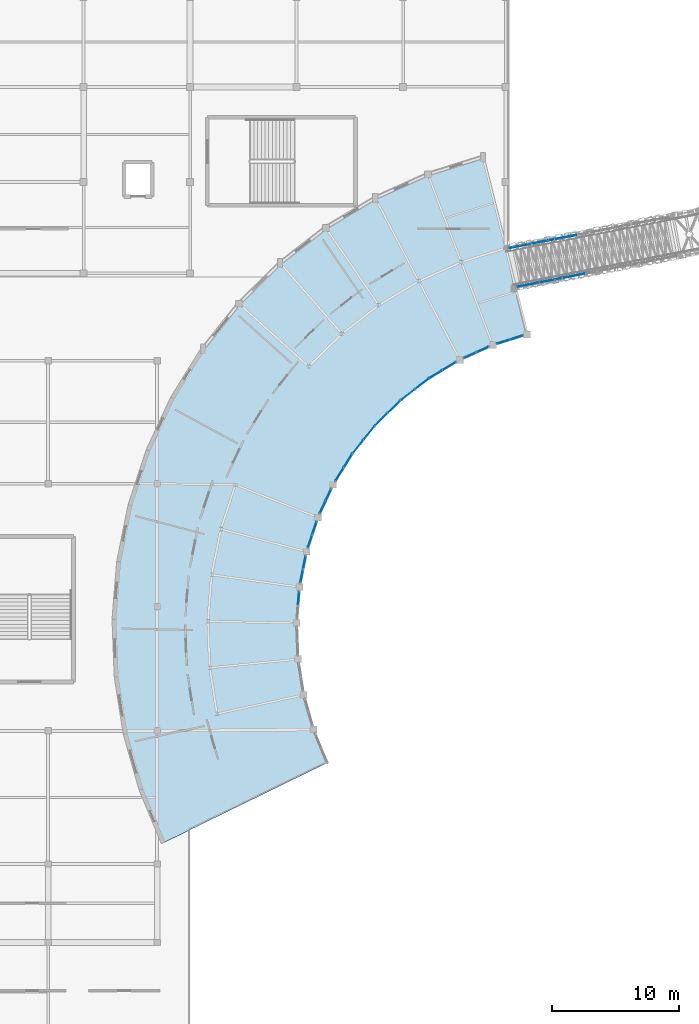
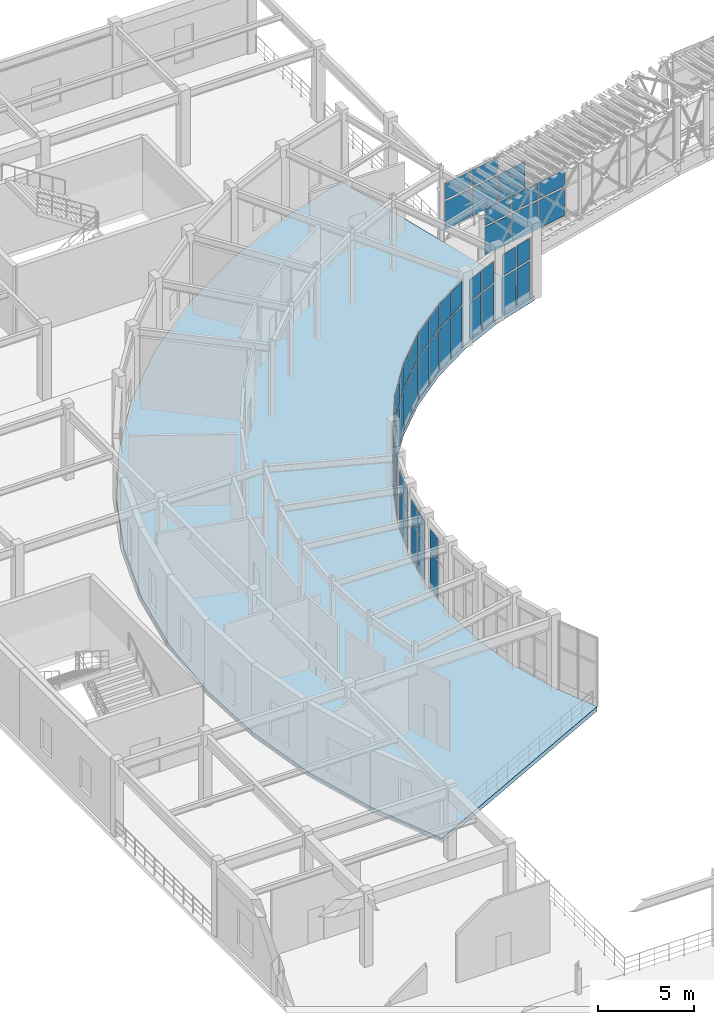
# One storey, part 86 of 144: 53 plates, 1 slab, 13 elements without a shape of their own.
"""IFC4 building model written with IfcOpenShell, lengths in metres."""

from ifc_helpers import new_model, si_unit, direction, frame, origin, origin_2d, place, context, subcontext, project, spatial, polyline, rectangle, outline, extrude, material, layer, layer_set, type_object, element, aggregate, save


model = new_model("IFC4")

# Units and contexts
model_context = context("Model", 3, precision=1e-05, world=origin(), true_north=direction((0.0, 1.0)))
body_context = subcontext(model_context, "Body", "Model", "MODEL_VIEW")
ifc_project = project(units=[si_unit("LENGTHUNIT", "METRE"), si_unit("AREAUNIT", "SQUARE_METRE"), si_unit("VOLUMEUNIT", "CUBIC_METRE"), si_unit("PLANEANGLEUNIT", "RADIAN"), si_unit("MASSUNIT", "GRAM", prefix="KILO")], contexts=[model_context])

# Site, building, storey
site_placement = place(None, origin())
site = spatial("IfcSite", under=ifc_project, at=site_placement, CompositionType="ELEMENT")
building_placement = place(site_placement, origin())
building = spatial("IfcBuilding", under=site, at=building_placement, Name="Cinderbank Siding Concert Hall", CompositionType="ELEMENT")
storey_placement = place(building_placement, frame((0.0, 0.0, 5.39990234375)))
storey = spatial("IfcBuildingStorey", under=building, at=storey_placement, Name="L02", CompositionType="ELEMENT", Elevation=5.39990234375)

# Curtain wall, plates
ifc_material_1 = material(Name="Anodised aluminium alloy 6063-T6", Category="aluminium")
curtain_wall_type_1 = type_object("IfcCurtainWallType", Name="CW-13 Unitised Acoustic Curtain Wall 4200x4400", PredefinedType="NOTDEFINED", material=ifc_material_1)
curtain_wall_1_placement = place(storey_placement, origin())
curtain_wall_1 = element("IfcCurtainWall", 1, at=curtain_wall_1_placement, inside=storey, type_object=curtain_wall_type_1, Name="L02 Curtain Wall CW-13 #112", PredefinedType="NOTDEFINED")
ifc_material_2 = material(Name="Double-glazed laminated acoustic glass", Category="glass")
ifc_layer_1 = layer(ifc_material_2, 0.035888671875)
ifc_layer_set_1 = layer_set([ifc_layer_1], Name="Double-glazed laminated acoustic glass")
plate_type_1 = type_object("IfcPlateType", Name="CP-01 Glazed Curtain Panel 1800x2200", PredefinedType="CURTAIN_PANEL", material=ifc_layer_set_1)
plate_1_placement = place(storey_placement, frame((39.684814453125, 85.558349609375, 0.1201171875), z_axis=(0.0, 0.0, 1.0), x_axis=(-0.712024905281, -0.702154209743, 0.0)))
plate_1 = element("IfcPlate", 2, at=plate_1_placement, type_object=plate_type_1, Name="CW-L02-112 Glazed Panel 0-0", PredefinedType="CURTAIN_PANEL", context=body_context, shape_type="SweptSolid", body=[
    extrude(rectangle(XDim=1.323486328125, YDim=0.035888671875, at=origin_2d()), origin(), (0.0, 0.0, 1.0), 2.548095703125),
])
plate_2_placement = place(storey_placement, frame((39.684814453125, 85.558349609375, 2.7880859375), z_axis=(0.0, 0.0, 1.0), x_axis=(-0.712024905281, -0.702154209743, 0.0)))
plate_2 = element("IfcPlate", 3, at=plate_2_placement, type_object=plate_type_1, Name="CW-L02-112 Glazed Panel 0-1", PredefinedType="CURTAIN_PANEL", context=body_context, shape_type="SweptSolid", body=[
    extrude(rectangle(XDim=1.323486328125, YDim=0.035888671875, at=origin_2d()), origin(), (0.0, 0.0, 1.0), 1.491943359375),
])
plate_3_placement = place(storey_placement, frame((38.67138671875, 84.558837890625, 0.1201171875), z_axis=(0.0, 0.0, 1.0), x_axis=(-0.712024905281, -0.702154209743, 0.0)))
plate_3 = element("IfcPlate", 4, at=plate_3_placement, type_object=plate_type_1, Name="CW-L02-112 Glazed Panel 1-0", PredefinedType="CURTAIN_PANEL", context=body_context, shape_type="SweptSolid", body=[
    extrude(rectangle(XDim=1.323486328125, YDim=0.035888671875, at=origin_2d()), origin(), (0.0, 0.0, 1.0), 2.548095703125),
])
plate_4_placement = place(storey_placement, frame((38.67138671875, 84.558837890625, 2.7880859375), z_axis=(0.0, 0.0, 1.0), x_axis=(-0.712024905281, -0.702154209743, 0.0)))
plate_4 = element("IfcPlate", 5, at=plate_4_placement, type_object=plate_type_1, Name="CW-L02-112 Glazed Panel 1-1", PredefinedType="CURTAIN_PANEL", context=body_context, shape_type="SweptSolid", body=[
    extrude(rectangle(XDim=1.323486328125, YDim=0.035888671875, at=origin_2d()), origin(), (0.0, 0.0, 1.0), 1.491943359375),
])
aggregate(curtain_wall_1, [plate_1, plate_2, plate_3, plate_4])

curtain_wall_type_2 = type_object("IfcCurtainWallType", Name="CW-14 Unitised Acoustic Curtain Wall 4200x3800", PredefinedType="NOTDEFINED", material=ifc_material_1)
curtain_wall_2_placement = place(storey_placement, origin())
curtain_wall_2 = element("IfcCurtainWall", 6, at=curtain_wall_2_placement, inside=storey, type_object=curtain_wall_type_2, Name="L02 Curtain Wall CW-14 #113", PredefinedType="NOTDEFINED")
ifc_layer_2 = layer(ifc_material_2, 0.035888671875)
ifc_layer_set_2 = layer_set([ifc_layer_2], Name="Double-glazed laminated acoustic glass")
plate_type_2 = type_object("IfcPlateType", Name="CP-02 Glazed Curtain Panel 1800x1900", PredefinedType="CURTAIN_PANEL", material=ifc_layer_set_2)
plate_5_placement = place(storey_placement, frame((37.720458984375, 83.5029296875, 0.1201171875), z_axis=(0.0, 0.0, 1.0), x_axis=(-0.62388932091, -0.781512709592, 0.0)))
plate_5 = element("IfcPlate", 7, at=plate_5_placement, type_object=plate_type_2, Name="CW-L02-113 Glazed Panel 0-0", PredefinedType="CURTAIN_PANEL", context=body_context, shape_type="SweptSolid", body=[
    extrude(rectangle(XDim=1.3232421875, YDim=0.035888671875, at=origin_2d()), origin(), (0.0, 0.0, 1.0), 2.548095703125),
])
plate_6_placement = place(storey_placement, frame((37.720458984375, 83.5029296875, 2.7880859375), z_axis=(0.0, 0.0, 1.0), x_axis=(-0.62388932091, -0.781512709592, 0.0)))
plate_6 = element("IfcPlate", 8, at=plate_6_placement, type_object=plate_type_2, Name="CW-L02-113 Glazed Panel 0-1", PredefinedType="CURTAIN_PANEL", context=body_context, shape_type="SweptSolid", body=[
    extrude(rectangle(XDim=1.3232421875, YDim=0.035888671875, at=origin_2d()), origin(), (0.0, 0.0, 1.0), 1.491943359375),
])
plate_7_placement = place(storey_placement, frame((36.83251953125, 82.390625, 0.1201171875), z_axis=(0.0, 0.0, 1.0), x_axis=(-0.62388932091, -0.781512709592, 0.0)))
plate_7 = element("IfcPlate", 9, at=plate_7_placement, type_object=plate_type_2, Name="CW-L02-113 Glazed Panel 1-0", PredefinedType="CURTAIN_PANEL", context=body_context, shape_type="SweptSolid", body=[
    extrude(rectangle(XDim=1.3232421875, YDim=0.035888671875, at=origin_2d()), origin(), (0.0, 0.0, 1.0), 2.548095703125),
])
plate_8_placement = place(storey_placement, frame((36.83251953125, 82.390625, 2.7880859375), z_axis=(0.0, 0.0, 1.0), x_axis=(-0.62388932091, -0.781512709592, 0.0)))
plate_8 = element("IfcPlate", 10, at=plate_8_placement, type_object=plate_type_2, Name="CW-L02-113 Glazed Panel 1-1", PredefinedType="CURTAIN_PANEL", context=body_context, shape_type="SweptSolid", body=[
    extrude(rectangle(XDim=1.3232421875, YDim=0.035888671875, at=origin_2d()), origin(), (0.0, 0.0, 1.0), 1.491943359375),
])
aggregate(curtain_wall_2, [plate_5, plate_6, plate_7, plate_8])

curtain_wall_type_3 = type_object("IfcCurtainWallType", Name="CW-15 Unitised Acoustic Curtain Wall 12800x3200", PredefinedType="NOTDEFINED", material=ifc_material_1)
curtain_wall_3_placement = place(storey_placement, origin())
curtain_wall_3 = element("IfcCurtainWall", 11, at=curtain_wall_3_placement, inside=storey, type_object=curtain_wall_type_3, Name="L02 Curtain Wall CW-15 #153", PredefinedType="NOTDEFINED")
plate_9_placement = place(storey_placement, frame((49.604736328125, 98.24560546875, 0.60009765625), z_axis=(0.0, 0.0, 1.0), x_axis=(0.981626888786, 0.190810511271, 0.0)))
plate_9 = element("IfcPlate", 12, at=plate_9_placement, type_object=plate_type_2, Name="CW-L02-153 Glazed Panel 0-0", PredefinedType="CURTAIN_PANEL", context=body_context, shape_type="SweptSolid", body=[
    extrude(rectangle(XDim=1.760009765625, YDim=0.035888671875, at=origin_2d()), origin(), (0.0, 0.0, 1.0), 1.77294921875),
])
plate_10_placement = place(storey_placement, frame((49.604736328125, 98.24560546875, 2.4931640625), z_axis=(0.0, 0.0, 1.0), x_axis=(0.981626888786, 0.190810511271, 0.0)))
plate_10 = element("IfcPlate", 13, at=plate_10_placement, type_object=plate_type_2, Name="CW-L02-153 Glazed Panel 0-1", PredefinedType="CURTAIN_PANEL", context=body_context, shape_type="SweptSolid", body=[
    extrude(rectangle(XDim=1.760009765625, YDim=0.035888671875, at=origin_2d()), origin(), (0.0, 0.0, 1.0), 1.01708984375),
])
plate_11_placement = place(storey_placement, frame((51.430419921875, 98.6005859375, 0.60009765625), z_axis=(0.0, 0.0, 1.0), x_axis=(0.981626888786, 0.190810511271, 0.0)))
plate_11 = element("IfcPlate", 14, at=plate_11_placement, type_object=plate_type_2, Name="CW-L02-153 Glazed Panel 1-0", PredefinedType="CURTAIN_PANEL", context=body_context, shape_type="SweptSolid", body=[
    extrude(rectangle(XDim=1.760009765625, YDim=0.035888671875, at=origin_2d()), origin(), (0.0, 0.0, 1.0), 1.77294921875),
])
plate_12_placement = place(storey_placement, frame((51.430419921875, 98.6005859375, 2.4931640625), z_axis=(0.0, 0.0, 1.0), x_axis=(0.981626888786, 0.190810511271, 0.0)))
plate_12 = element("IfcPlate", 15, at=plate_12_placement, type_object=plate_type_2, Name="CW-L02-153 Glazed Panel 1-1", PredefinedType="CURTAIN_PANEL", context=body_context, shape_type="SweptSolid", body=[
    extrude(rectangle(XDim=1.760009765625, YDim=0.035888671875, at=origin_2d()), origin(), (0.0, 0.0, 1.0), 1.01708984375),
])
plate_13_placement = place(storey_placement, frame((53.25634765625, 98.955322265625, 0.60009765625), z_axis=(0.0, 0.0, 1.0), x_axis=(0.981626888786, 0.190810511271, 0.0)))
plate_13 = element("IfcPlate", 16, at=plate_13_placement, type_object=plate_type_2, Name="CW-L02-153 Glazed Panel 2-0", PredefinedType="CURTAIN_PANEL", context=body_context, shape_type="SweptSolid", body=[
    extrude(rectangle(XDim=1.760009765625, YDim=0.035888671875, at=origin_2d()), origin(), (0.0, 0.0, 1.0), 1.77294921875),
])
aggregate(curtain_wall_3, [plate_9, plate_10, plate_11, plate_12, plate_13])

curtain_wall_4_placement = place(storey_placement, origin())
curtain_wall_4 = element("IfcCurtainWall", 17, at=curtain_wall_4_placement, inside=storey, type_object=curtain_wall_type_1, Name="L02 Curtain Wall CW-13 #114", PredefinedType="NOTDEFINED")
ifc_layer_3 = layer(ifc_material_2, 0.035888671875)
ifc_layer_set_3 = layer_set([ifc_layer_3], Name="Double-glazed laminated acoustic glass")
plate_type_3 = type_object("IfcPlateType", Name="CP-03 Glazed Curtain Panel 1600x2100", PredefinedType="CURTAIN_PANEL", material=ifc_layer_set_3)
plate_14_placement = place(storey_placement, frame((36.058349609375, 81.3017578125, 0.1201171875), z_axis=(0.0, 0.0, 1.0), x_axis=(-0.526957938243, -0.849891364424, 0.0)))
plate_14 = element("IfcPlate", 18, at=plate_14_placement, type_object=plate_type_3, Name="CW-L02-114 Glazed Panel 0-0", PredefinedType="CURTAIN_PANEL", context=body_context, shape_type="SweptSolid", body=[
    extrude(rectangle(XDim=1.1533203125, YDim=0.035888671875, at=origin_2d()), origin(), (0.0, 0.0, 1.0), 2.548095703125),
])
plate_15_placement = place(storey_placement, frame((36.058349609375, 81.3017578125, 2.7880859375), z_axis=(0.0, 0.0, 1.0), x_axis=(-0.526957938243, -0.849891364424, 0.0)))
plate_15 = element("IfcPlate", 19, at=plate_15_placement, type_object=plate_type_3, Name="CW-L02-114 Glazed Panel 0-1", PredefinedType="CURTAIN_PANEL", context=body_context, shape_type="SweptSolid", body=[
    extrude(rectangle(XDim=1.1533203125, YDim=0.035888671875, at=origin_2d()), origin(), (0.0, 0.0, 1.0), 1.491943359375),
])
plate_16_placement = place(storey_placement, frame((35.397705078125, 80.236572265625, 0.1201171875), z_axis=(0.0, 0.0, 1.0), x_axis=(-0.526957938243, -0.849891364424, 0.0)))
plate_16 = element("IfcPlate", 20, at=plate_16_placement, type_object=plate_type_3, Name="CW-L02-114 Glazed Panel 1-0", PredefinedType="CURTAIN_PANEL", context=body_context, shape_type="SweptSolid", body=[
    extrude(rectangle(XDim=1.1533203125, YDim=0.035888671875, at=origin_2d()), origin(), (0.0, 0.0, 1.0), 2.548095703125),
])
plate_17_placement = place(storey_placement, frame((35.397705078125, 80.236572265625, 2.7880859375), z_axis=(0.0, 0.0, 1.0), x_axis=(-0.526957938243, -0.849891364424, 0.0)))
plate_17 = element("IfcPlate", 21, at=plate_17_placement, type_object=plate_type_3, Name="CW-L02-114 Glazed Panel 1-1", PredefinedType="CURTAIN_PANEL", context=body_context, shape_type="SweptSolid", body=[
    extrude(rectangle(XDim=1.1533203125, YDim=0.035888671875, at=origin_2d()), origin(), (0.0, 0.0, 1.0), 1.491943359375),
])
aggregate(curtain_wall_4, [plate_14, plate_15, plate_16, plate_17])

curtain_wall_5_placement = place(storey_placement, origin())
curtain_wall_5 = element("IfcCurtainWall", 22, at=curtain_wall_5_placement, inside=storey, type_object=curtain_wall_type_3, Name="L02 Curtain Wall CW-15 #154", PredefinedType="NOTDEFINED")
plate_18_placement = place(storey_placement, frame((50.23095703125, 95.18896484375, 0.60009765625), z_axis=(0.0, 0.0, 1.0), x_axis=(0.981626888786, 0.190810511271, 0.0)))
plate_18 = element("IfcPlate", 23, at=plate_18_placement, type_object=plate_type_3, Name="CW-L02-154 Glazed Panel 0-0", PredefinedType="CURTAIN_PANEL", context=body_context, shape_type="SweptSolid", body=[
    extrude(rectangle(XDim=1.755126953125, YDim=0.035888671875, at=origin_2d()), origin(), (0.0, 0.0, 1.0), 1.77294921875),
])
plate_19_placement = place(storey_placement, frame((50.23095703125, 95.18896484375, 2.4931640625), z_axis=(0.0, 0.0, 1.0), x_axis=(0.981626888786, 0.190810511271, 0.0)))
plate_19 = element("IfcPlate", 24, at=plate_19_placement, type_object=plate_type_3, Name="CW-L02-154 Glazed Panel 0-1", PredefinedType="CURTAIN_PANEL", context=body_context, shape_type="SweptSolid", body=[
    extrude(rectangle(XDim=1.755126953125, YDim=0.035888671875, at=origin_2d()), origin(), (0.0, 0.0, 1.0), 1.01708984375),
])
plate_20_placement = place(storey_placement, frame((52.052001953125, 95.54296875, 0.60009765625), z_axis=(0.0, 0.0, 1.0), x_axis=(0.981626888786, 0.190810511271, 0.0)))
plate_20 = element("IfcPlate", 25, at=plate_20_placement, type_object=plate_type_3, Name="CW-L02-154 Glazed Panel 1-0", PredefinedType="CURTAIN_PANEL", context=body_context, shape_type="SweptSolid", body=[
    extrude(rectangle(XDim=1.755126953125, YDim=0.035888671875, at=origin_2d()), origin(), (0.0, 0.0, 1.0), 1.77294921875),
])
plate_21_placement = place(storey_placement, frame((52.052001953125, 95.54296875, 2.4931640625), z_axis=(0.0, 0.0, 1.0), x_axis=(0.981626888786, 0.190810511271, 0.0)))
plate_21 = element("IfcPlate", 26, at=plate_21_placement, type_object=plate_type_3, Name="CW-L02-154 Glazed Panel 1-1", PredefinedType="CURTAIN_PANEL", context=body_context, shape_type="SweptSolid", body=[
    extrude(rectangle(XDim=1.755126953125, YDim=0.035888671875, at=origin_2d()), origin(), (0.0, 0.0, 1.0), 1.01708984375),
])
plate_22_placement = place(storey_placement, frame((53.873046875, 95.89697265625, 0.60009765625), z_axis=(0.0, 0.0, 1.0), x_axis=(0.981626888786, 0.190810511271, 0.0)))
plate_22 = element("IfcPlate", 27, at=plate_22_placement, type_object=plate_type_3, Name="CW-L02-154 Glazed Panel 2-0", PredefinedType="CURTAIN_PANEL", context=body_context, shape_type="SweptSolid", body=[
    extrude(rectangle(XDim=1.755126953125, YDim=0.035888671875, at=origin_2d()), origin(), (0.0, 0.0, 1.0), 1.77294921875),
])
plate_23_placement = place(storey_placement, frame((53.873046875, 95.89697265625, 2.4931640625), z_axis=(0.0, 0.0, 1.0), x_axis=(0.981626888786, 0.190810511271, 0.0)))
plate_23 = element("IfcPlate", 28, at=plate_23_placement, type_object=plate_type_3, Name="CW-L02-154 Glazed Panel 2-1", PredefinedType="CURTAIN_PANEL", context=body_context, shape_type="SweptSolid", body=[
    extrude(rectangle(XDim=1.755126953125, YDim=0.035888671875, at=origin_2d()), origin(), (0.0, 0.0, 1.0), 1.01708984375),
])
aggregate(curtain_wall_5, [plate_18, plate_19, plate_20, plate_21, plate_22, plate_23])

curtain_wall_6_placement = place(storey_placement, origin())
curtain_wall_6 = element("IfcCurtainWall", 29, at=curtain_wall_6_placement, inside=storey, type_object=curtain_wall_type_2, Name="L02 Curtain Wall CW-14 #115", PredefinedType="NOTDEFINED")
ifc_layer_4 = layer(ifc_material_2, 0.031982421875)
ifc_layer_set_4 = layer_set([ifc_layer_4], Name="Double-glazed laminated acoustic glass")
plate_type_4 = type_object("IfcPlateType", Name="CP-04 Glazed Curtain Panel 1400x2000", PredefinedType="CURTAIN_PANEL", material=ifc_layer_set_4)
plate_24_placement = place(storey_placement, frame((34.515869140625, 78.615966796875, 0.1201171875), z_axis=(0.0, 0.0, 1.0), x_axis=(-0.422596979175, -0.906317710956, 0.0)))
plate_24 = element("IfcPlate", 30, at=plate_24_placement, type_object=plate_type_4, Name="CW-L02-115 Glazed Panel 0-0", PredefinedType="CURTAIN_PANEL", context=body_context, shape_type="SweptSolid", body=[
    extrude(rectangle(XDim=0.9833984375, YDim=0.035888671875, at=origin_2d()), origin(), (0.0, 0.0, 1.0), 2.2919921875),
])
plate_25_placement = place(storey_placement, frame((34.515869140625, 78.615966796875, 2.5322265625), z_axis=(0.0, 0.0, 1.0), x_axis=(-0.422596979175, -0.906317710956, 0.0)))
plate_25 = element("IfcPlate", 31, at=plate_25_placement, type_object=plate_type_4, Name="CW-L02-115 Glazed Panel 0-1", PredefinedType="CURTAIN_PANEL", context=body_context, shape_type="SweptSolid", body=[
    extrude(rectangle(XDim=0.9833984375, YDim=0.035888671875, at=origin_2d()), origin(), (0.0, 0.0, 1.0), 1.335205078125),
])
plate_26_placement = place(storey_placement, frame((34.05810546875, 77.634033203125, 0.1201171875), z_axis=(0.0, 0.0, 1.0), x_axis=(-0.422596979175, -0.906317710956, 0.0)))
plate_26 = element("IfcPlate", 32, at=plate_26_placement, type_object=plate_type_4, Name="CW-L02-115 Glazed Panel 1-0", PredefinedType="CURTAIN_PANEL", context=body_context, shape_type="SweptSolid", body=[
    extrude(rectangle(XDim=0.9833984375, YDim=0.035888671875, at=origin_2d()), origin(), (0.0, 0.0, 1.0), 2.2919921875),
])
plate_27_placement = place(storey_placement, frame((34.05810546875, 77.634033203125, 2.5322265625), z_axis=(0.0, 0.0, 1.0), x_axis=(-0.422596979175, -0.906317710956, 0.0)))
plate_27 = element("IfcPlate", 33, at=plate_27_placement, type_object=plate_type_4, Name="CW-L02-115 Glazed Panel 1-1", PredefinedType="CURTAIN_PANEL", context=body_context, shape_type="SweptSolid", body=[
    extrude(rectangle(XDim=0.9833984375, YDim=0.035888671875, at=origin_2d()), origin(), (0.0, 0.0, 1.0), 1.335205078125),
])
aggregate(curtain_wall_6, [plate_24, plate_25, plate_26, plate_27])

curtain_wall_7_placement = place(storey_placement, origin())
curtain_wall_7 = element("IfcCurtainWall", 34, at=curtain_wall_7_placement, inside=storey, type_object=curtain_wall_type_1, Name="L02 Curtain Wall CW-13 #108", PredefinedType="NOTDEFINED")
ifc_layer_5 = layer(ifc_material_2, 0.031982421875)
ifc_layer_set_5 = layer_set([ifc_layer_5], Name="Double-glazed laminated acoustic glass")
plate_type_5 = type_object("IfcPlateType", Name="CP-05 Glazed Curtain Panel 1200x1800", PredefinedType="CURTAIN_PANEL", material=ifc_layer_set_5)
plate_28_placement = place(storey_placement, frame((49.3525390625, 91.0234375, 0.1201171875), z_axis=(0.0, 0.0, 1.0), x_axis=(-0.954240278145, -0.29904095299, 0.0)))
plate_28 = element("IfcPlate", 35, at=plate_28_placement, type_object=plate_type_5, Name="CW-L02-108 Glazed Panel 0-0", PredefinedType="CURTAIN_PANEL", context=body_context, shape_type="SweptSolid", body=[
    extrude(rectangle(XDim=0.9833984375, YDim=0.035888671875, at=origin_2d()), origin(), (0.0, 0.0, 1.0), 2.2919921875),
])
plate_29_placement = place(storey_placement, frame((49.3525390625, 91.0234375, 2.5322265625), z_axis=(0.0, 0.0, 1.0), x_axis=(-0.954240278145, -0.29904095299, 0.0)))
plate_29 = element("IfcPlate", 36, at=plate_29_placement, type_object=plate_type_5, Name="CW-L02-108 Glazed Panel 0-1", PredefinedType="CURTAIN_PANEL", context=body_context, shape_type="SweptSolid", body=[
    extrude(rectangle(XDim=0.9833984375, YDim=0.035888671875, at=origin_2d()), origin(), (0.0, 0.0, 1.0), 1.335205078125),
])
plate_30_placement = place(storey_placement, frame((48.318603515625, 90.699462890625, 0.1201171875), z_axis=(0.0, 0.0, 1.0), x_axis=(-0.954240278145, -0.29904095299, 0.0)))
plate_30 = element("IfcPlate", 37, at=plate_30_placement, type_object=plate_type_5, Name="CW-L02-108 Glazed Panel 1-0", PredefinedType="CURTAIN_PANEL", context=body_context, shape_type="SweptSolid", body=[
    extrude(rectangle(XDim=0.9833984375, YDim=0.035888671875, at=origin_2d()), origin(), (0.0, 0.0, 1.0), 2.2919921875),
])
plate_31_placement = place(storey_placement, frame((48.318603515625, 90.699462890625, 2.5322265625), z_axis=(0.0, 0.0, 1.0), x_axis=(-0.954240278145, -0.29904095299, 0.0)))
plate_31 = element("IfcPlate", 38, at=plate_31_placement, type_object=plate_type_5, Name="CW-L02-108 Glazed Panel 1-1", PredefinedType="CURTAIN_PANEL", context=body_context, shape_type="SweptSolid", body=[
    extrude(rectangle(XDim=0.9833984375, YDim=0.035888671875, at=origin_2d()), origin(), (0.0, 0.0, 1.0), 1.335205078125),
])
aggregate(curtain_wall_7, [plate_28, plate_29, plate_30, plate_31])

curtain_wall_8_placement = place(storey_placement, origin())
curtain_wall_8 = element("IfcCurtainWall", 39, at=curtain_wall_8_placement, inside=storey, type_object=curtain_wall_type_1, Name="L02 Curtain Wall CW-13 #116", PredefinedType="NOTDEFINED")
plate_32_placement = place(storey_placement, frame((33.409912109375, 75.997314453125, 0.1201171875), z_axis=(0.0, 0.0, 1.0), x_axis=(-0.312357553034, -0.949964609374, 0.0)))
plate_32 = element("IfcPlate", 40, at=plate_32_placement, type_object=plate_type_5, Name="CW-L02-116 Glazed Panel 0-0", PredefinedType="CURTAIN_PANEL", context=body_context, shape_type="SweptSolid", body=[
    extrude(rectangle(XDim=0.9833984375, YDim=0.035888671875, at=origin_2d()), origin(), (0.0, 0.0, 1.0), 2.2919921875),
])
plate_33_placement = place(storey_placement, frame((33.409912109375, 75.997314453125, 2.5322265625), z_axis=(0.0, 0.0, 1.0), x_axis=(-0.312357553034, -0.949964609374, 0.0)))
plate_33 = element("IfcPlate", 41, at=plate_33_placement, type_object=plate_type_5, Name="CW-L02-116 Glazed Panel 0-1", PredefinedType="CURTAIN_PANEL", context=body_context, shape_type="SweptSolid", body=[
    extrude(rectangle(XDim=0.9833984375, YDim=0.035888671875, at=origin_2d()), origin(), (0.0, 0.0, 1.0), 1.335205078125),
])
plate_34_placement = place(storey_placement, frame((33.071533203125, 74.96826171875, 0.1201171875), z_axis=(0.0, 0.0, 1.0), x_axis=(-0.312357553034, -0.949964609374, 0.0)))
plate_34 = element("IfcPlate", 42, at=plate_34_placement, type_object=plate_type_5, Name="CW-L02-116 Glazed Panel 1-0", PredefinedType="CURTAIN_PANEL", context=body_context, shape_type="SweptSolid", body=[
    extrude(rectangle(XDim=0.9833984375, YDim=0.035888671875, at=origin_2d()), origin(), (0.0, 0.0, 1.0), 2.2919921875),
])
plate_35_placement = place(storey_placement, frame((33.071533203125, 74.96826171875, 2.5322265625), z_axis=(0.0, 0.0, 1.0), x_axis=(-0.312357553034, -0.949964609374, 0.0)))
plate_35 = element("IfcPlate", 43, at=plate_35_placement, type_object=plate_type_5, Name="CW-L02-116 Glazed Panel 1-1", PredefinedType="CURTAIN_PANEL", context=body_context, shape_type="SweptSolid", body=[
    extrude(rectangle(XDim=0.9833984375, YDim=0.035888671875, at=origin_2d()), origin(), (0.0, 0.0, 1.0), 1.335205078125),
])
aggregate(curtain_wall_8, [plate_32, plate_33, plate_34, plate_35])

curtain_wall_9_placement = place(storey_placement, origin())
curtain_wall_9 = element("IfcCurtainWall", 44, at=curtain_wall_9_placement, inside=storey, type_object=curtain_wall_type_2, Name="L02 Curtain Wall CW-14 #109", PredefinedType="NOTDEFINED")
ifc_layer_6 = layer(ifc_material_2, 0.0380859375)
ifc_layer_set_6 = layer_set([ifc_layer_6], Name="Double-glazed laminated acoustic glass")
plate_type_6 = type_object("IfcPlateType", Name="CP-06 Glazed Curtain Panel 2100x1600", PredefinedType="CURTAIN_PANEL", material=ifc_layer_set_6)
plate_36_placement = place(storey_placement, frame((46.673095703125, 90.074462890625, 0.1201171875), z_axis=(0.0, 0.0, 1.0), x_axis=(-0.912121872087, -0.409919126731, 0.0)))
plate_36 = element("IfcPlate", 45, at=plate_36_placement, type_object=plate_type_6, Name="CW-L02-109 Glazed Panel 0-0", PredefinedType="CURTAIN_PANEL", context=body_context, shape_type="SweptSolid", body=[
    extrude(rectangle(XDim=0.9833984375, YDim=0.035888671875, at=origin_2d()), origin(), (0.0, 0.0, 1.0), 2.2919921875),
])
plate_37_placement = place(storey_placement, frame((46.673095703125, 90.074462890625, 2.5322265625), z_axis=(0.0, 0.0, 1.0), x_axis=(-0.912121872087, -0.409919126731, 0.0)))
plate_37 = element("IfcPlate", 46, at=plate_37_placement, type_object=plate_type_6, Name="CW-L02-109 Glazed Panel 0-1", PredefinedType="CURTAIN_PANEL", context=body_context, shape_type="SweptSolid", body=[
    extrude(rectangle(XDim=0.9833984375, YDim=0.035888671875, at=origin_2d()), origin(), (0.0, 0.0, 1.0), 1.335205078125),
])
plate_38_placement = place(storey_placement, frame((45.68505859375, 89.63037109375, 0.1201171875), z_axis=(0.0, 0.0, 1.0), x_axis=(-0.912121872087, -0.409919126731, 0.0)))
plate_38 = element("IfcPlate", 47, at=plate_38_placement, type_object=plate_type_6, Name="CW-L02-109 Glazed Panel 1-0", PredefinedType="CURTAIN_PANEL", context=body_context, shape_type="SweptSolid", body=[
    extrude(rectangle(XDim=0.9833984375, YDim=0.035888671875, at=origin_2d()), origin(), (0.0, 0.0, 1.0), 2.2919921875),
])
plate_39_placement = place(storey_placement, frame((45.68505859375, 89.63037109375, 2.5322265625), z_axis=(0.0, 0.0, 1.0), x_axis=(-0.912121872087, -0.409919126731, 0.0)))
plate_39 = element("IfcPlate", 48, at=plate_39_placement, type_object=plate_type_6, Name="CW-L02-109 Glazed Panel 1-1", PredefinedType="CURTAIN_PANEL", context=body_context, shape_type="SweptSolid", body=[
    extrude(rectangle(XDim=0.9833984375, YDim=0.035888671875, at=origin_2d()), origin(), (0.0, 0.0, 1.0), 1.335205078125),
])
aggregate(curtain_wall_9, [plate_36, plate_37, plate_38, plate_39])

curtain_wall_10_placement = place(storey_placement, origin())
curtain_wall_10 = element("IfcCurtainWall", 49, at=curtain_wall_10_placement, inside=storey, type_object=curtain_wall_type_2, Name="L02 Curtain Wall CW-14 #117", PredefinedType="NOTDEFINED")
plate_40_placement = place(storey_placement, frame((32.6220703125, 73.266357421875, 0.1201171875), z_axis=(0.0, 0.0, 1.0), x_axis=(-0.197635905492, -0.980275496409, 0.0)))
plate_40 = element("IfcPlate", 50, at=plate_40_placement, type_object=plate_type_6, Name="CW-L02-117 Glazed Panel 0-0", PredefinedType="CURTAIN_PANEL", context=body_context, shape_type="SweptSolid", body=[
    extrude(rectangle(XDim=0.9833984375, YDim=0.035888671875, at=origin_2d()), origin(), (0.0, 0.0, 1.0), 2.2919921875),
])
plate_41_placement = place(storey_placement, frame((32.6220703125, 73.266357421875, 2.5322265625), z_axis=(0.0, 0.0, 1.0), x_axis=(-0.197635905492, -0.980275496409, 0.0)))
plate_41 = element("IfcPlate", 51, at=plate_41_placement, type_object=plate_type_6, Name="CW-L02-117 Glazed Panel 0-1", PredefinedType="CURTAIN_PANEL", context=body_context, shape_type="SweptSolid", body=[
    extrude(rectangle(XDim=0.9833984375, YDim=0.035888671875, at=origin_2d()), origin(), (0.0, 0.0, 1.0), 1.335205078125),
])
plate_42_placement = place(storey_placement, frame((32.40771484375, 72.20458984375, 0.1201171875), z_axis=(0.0, 0.0, 1.0), x_axis=(-0.197635905492, -0.980275496409, 0.0)))
plate_42 = element("IfcPlate", 52, at=plate_42_placement, type_object=plate_type_6, Name="CW-L02-117 Glazed Panel 1-0", PredefinedType="CURTAIN_PANEL", context=body_context, shape_type="SweptSolid", body=[
    extrude(rectangle(XDim=0.9833984375, YDim=0.035888671875, at=origin_2d()), origin(), (0.0, 0.0, 1.0), 2.2919921875),
])
plate_43_placement = place(storey_placement, frame((32.40771484375, 72.20458984375, 2.5322265625), z_axis=(0.0, 0.0, 1.0), x_axis=(-0.197635905492, -0.980275496409, 0.0)))
plate_43 = element("IfcPlate", 53, at=plate_43_placement, type_object=plate_type_6, Name="CW-L02-117 Glazed Panel 1-1", PredefinedType="CURTAIN_PANEL", context=body_context, shape_type="SweptSolid", body=[
    extrude(rectangle(XDim=0.9833984375, YDim=0.035888671875, at=origin_2d()), origin(), (0.0, 0.0, 1.0), 1.335205078125),
])
aggregate(curtain_wall_10, [plate_40, plate_41, plate_42, plate_43])

curtain_wall_11_placement = place(storey_placement, origin())
curtain_wall_11 = element("IfcCurtainWall", 54, at=curtain_wall_11_placement, inside=storey, type_object=curtain_wall_type_1, Name="L02 Curtain Wall CW-13 #110", PredefinedType="NOTDEFINED")
ifc_layer_7 = layer(ifc_material_2, 0.033935546875)
ifc_layer_set_7 = layer_set([ifc_layer_7], Name="Double-glazed laminated acoustic glass")
plate_type_7 = type_object("IfcPlateType", Name="CP-07 Glazed Curtain Panel 1500x1750", PredefinedType="CURTAIN_PANEL", material=ifc_layer_set_7)
plate_44_placement = place(storey_placement, frame((44.05224609375, 88.77099609375, 0.1201171875), z_axis=(0.0, 0.0, 1.0), x_axis=(-0.857161096841, -0.515048399727, 0.0)))
plate_44 = element("IfcPlate", 55, at=plate_44_placement, type_object=plate_type_7, Name="CW-L02-110 Glazed Panel 0-0", PredefinedType="CURTAIN_PANEL", context=body_context, shape_type="SweptSolid", body=[
    extrude(rectangle(XDim=1.1533203125, YDim=0.035888671875, at=origin_2d()), origin(), (0.0, 0.0, 1.0), 2.548095703125),
])
plate_45_placement = place(storey_placement, frame((44.05224609375, 88.77099609375, 2.7880859375), z_axis=(0.0, 0.0, 1.0), x_axis=(-0.857161096841, -0.515048399727, 0.0)))
plate_45 = element("IfcPlate", 56, at=plate_45_placement, type_object=plate_type_7, Name="CW-L02-110 Glazed Panel 0-1", PredefinedType="CURTAIN_PANEL", context=body_context, shape_type="SweptSolid", body=[
    extrude(rectangle(XDim=1.1533203125, YDim=0.035888671875, at=origin_2d()), origin(), (0.0, 0.0, 1.0), 1.491943359375),
])
plate_46_placement = place(storey_placement, frame((42.97802734375, 88.12548828125, 0.1201171875), z_axis=(0.0, 0.0, 1.0), x_axis=(-0.857161096841, -0.515048399727, 0.0)))
plate_46 = element("IfcPlate", 57, at=plate_46_placement, type_object=plate_type_7, Name="CW-L02-110 Glazed Panel 1-0", PredefinedType="CURTAIN_PANEL", context=body_context, shape_type="SweptSolid", body=[
    extrude(rectangle(XDim=1.1533203125, YDim=0.035888671875, at=origin_2d()), origin(), (0.0, 0.0, 1.0), 2.548095703125),
])
plate_47_placement = place(storey_placement, frame((42.97802734375, 88.12548828125, 2.7880859375), z_axis=(0.0, 0.0, 1.0), x_axis=(-0.857161096841, -0.515048399727, 0.0)))
plate_47 = element("IfcPlate", 58, at=plate_47_placement, type_object=plate_type_7, Name="CW-L02-110 Glazed Panel 1-1", PredefinedType="CURTAIN_PANEL", context=body_context, shape_type="SweptSolid", body=[
    extrude(rectangle(XDim=1.1533203125, YDim=0.035888671875, at=origin_2d()), origin(), (0.0, 0.0, 1.0), 1.491943359375),
])
aggregate(curtain_wall_11, [plate_44, plate_45, plate_46, plate_47])

curtain_wall_12_placement = place(storey_placement, origin())
curtain_wall_12 = element("IfcCurtainWall", 59, at=curtain_wall_12_placement, inside=storey, type_object=curtain_wall_type_1, Name="L02 Curtain Wall CW-13 #118", PredefinedType="NOTDEFINED")
plate_48_placement = place(storey_placement, frame((32.162841796875, 70.461181640625, 0.1201171875), z_axis=(0.0, 0.0, 1.0), x_axis=(-0.0801961758, -0.996779099594, 0.0)))
plate_48 = element("IfcPlate", 60, at=plate_48_placement, type_object=plate_type_7, Name="CW-L02-118 Glazed Panel 0-0", PredefinedType="CURTAIN_PANEL", context=body_context, shape_type="SweptSolid", body=[
    extrude(rectangle(XDim=0.9833984375, YDim=0.035888671875, at=origin_2d()), origin(), (0.0, 0.0, 1.0), 2.2919921875),
])
plate_49_placement = place(storey_placement, frame((32.162841796875, 70.461181640625, 2.5322265625), z_axis=(0.0, 0.0, 1.0), x_axis=(-0.0801961758, -0.996779099594, 0.0)))
plate_49 = element("IfcPlate", 61, at=plate_49_placement, type_object=plate_type_7, Name="CW-L02-118 Glazed Panel 0-1", PredefinedType="CURTAIN_PANEL", context=body_context, shape_type="SweptSolid", body=[
    extrude(rectangle(XDim=0.9833984375, YDim=0.035888671875, at=origin_2d()), origin(), (0.0, 0.0, 1.0), 1.335205078125),
])
aggregate(curtain_wall_12, [plate_48, plate_49])

curtain_wall_13_placement = place(storey_placement, origin())
curtain_wall_13 = element("IfcCurtainWall", 62, at=curtain_wall_13_placement, inside=storey, type_object=curtain_wall_type_2, Name="L02 Curtain Wall CW-14 #111", PredefinedType="NOTDEFINED")
ifc_layer_8 = layer(ifc_material_2, 0.033935546875)
ifc_layer_set_8 = layer_set([ifc_layer_8], Name="Double-glazed laminated acoustic glass")
plate_type_8 = type_object("IfcPlateType", Name="CP-08 Glazed Curtain Panel 1700x1550", PredefinedType="CURTAIN_PANEL", material=ifc_layer_set_8)
plate_50_placement = place(storey_placement, frame((41.87841796875, 87.366455078125, 0.1201171875), z_axis=(0.0, 0.0, 1.0), x_axis=(-0.790161124037, -0.612899174466, 0.0)))
plate_50 = element("IfcPlate", 63, at=plate_50_placement, type_object=plate_type_8, Name="CW-L02-111 Glazed Panel 0-0", PredefinedType="CURTAIN_PANEL", context=body_context, shape_type="SweptSolid", body=[
    extrude(rectangle(XDim=1.3232421875, YDim=0.035888671875, at=origin_2d()), origin(), (0.0, 0.0, 1.0), 2.548095703125),
])
plate_51_placement = place(storey_placement, frame((41.87841796875, 87.366455078125, 2.7880859375), z_axis=(0.0, 0.0, 1.0), x_axis=(-0.790161124037, -0.612899174466, 0.0)))
plate_51 = element("IfcPlate", 64, at=plate_51_placement, type_object=plate_type_8, Name="CW-L02-111 Glazed Panel 0-1", PredefinedType="CURTAIN_PANEL", context=body_context, shape_type="SweptSolid", body=[
    extrude(rectangle(XDim=1.3232421875, YDim=0.035888671875, at=origin_2d()), origin(), (0.0, 0.0, 1.0), 1.491943359375),
])
plate_52_placement = place(storey_placement, frame((40.75390625, 86.494140625, 0.1201171875), z_axis=(0.0, 0.0, 1.0), x_axis=(-0.790161124037, -0.612899174466, 0.0)))
plate_52 = element("IfcPlate", 65, at=plate_52_placement, type_object=plate_type_8, Name="CW-L02-111 Glazed Panel 1-0", PredefinedType="CURTAIN_PANEL", context=body_context, shape_type="SweptSolid", body=[
    extrude(rectangle(XDim=1.3232421875, YDim=0.035888671875, at=origin_2d()), origin(), (0.0, 0.0, 1.0), 2.548095703125),
])
plate_53_placement = place(storey_placement, frame((40.75390625, 86.494140625, 2.7880859375), z_axis=(0.0, 0.0, 1.0), x_axis=(-0.790161124037, -0.612899174466, 0.0)))
plate_53 = element("IfcPlate", 66, at=plate_53_placement, type_object=plate_type_8, Name="CW-L02-111 Glazed Panel 1-1", PredefinedType="CURTAIN_PANEL", context=body_context, shape_type="SweptSolid", body=[
    extrude(rectangle(XDim=1.3232421875, YDim=0.035888671875, at=origin_2d()), origin(), (0.0, 0.0, 1.0), 1.491943359375),
])
aggregate(curtain_wall_13, [plate_50, plate_51, plate_52, plate_53])

# Slab
ifc_material_3 = material(Name="Reinforced concrete AS 3600 N50 (50 MPa)", Category="concrete")
ifc_layer_9 = layer(ifc_material_3, 0.280029296875)
ifc_layer_set_9 = layer_set([ifc_layer_9], Name="Reinforced concrete AS 3600 N50 (50 MPa)")
slab_type = type_object("IfcSlabType", Name="SL-02 Slab 280mm", PredefinedType="FLOOR", material=ifc_layer_set_9)
slab_placement = place(storey_placement, frame((0.0, 0.0, -0.27978515625)))
element("IfcSlab", 67, at=slab_placement, inside=storey, type_object=slab_type, Name="L02 Recording & Dressing Arc Slab", PredefinedType="FLOOR", context=body_context, shape_type="SweptSolid", body=[
    extrude(outline(polyline([(46.710205078125, 105.259521484375), (50.19384765625, 91.287109375), (47.477294921875, 90.435791015625), (44.880859375, 89.268798828125), (42.44091796875, 87.802734375), (40.19140625, 86.05810546875), (38.16455078125, 84.05908203125), (36.388427734375, 81.83447265625), (34.888427734375, 79.4150390625), (33.685302734375, 76.8349609375), (32.796142578125, 74.130615234375), (32.233642578125, 71.340087890625), (32.00537109375, 68.502685546875), (32.114501953125, 65.657958984375), (32.559814453125, 62.846435546875), (33.3349609375, 60.107177734375), (34.428955078125, 57.47900390625), (21.486328125, 51.16650390625), (19.73583984375, 55.37158203125), (18.495849609375, 59.754150390625), (17.783203125, 64.252685546875), (17.6083984375, 68.80419921875), (17.9736328125, 73.34423828125), (18.8740234375, 77.80908203125), (20.296630859375, 82.135986328125), (22.221435546875, 86.263916015625), (24.62158203125, 90.135009765625), (27.463134765625, 93.694580078125), (30.706298828125, 96.892578125), (34.305419921875, 99.684326171875), (38.20947265625, 102.0302734375), (42.364013671875, 103.897216796875), (46.710205078125, 105.259521484375)])), origin(), (0.0, 0.0, 1.0), 0.27978515625),
])

save(model, "model.ifc")
